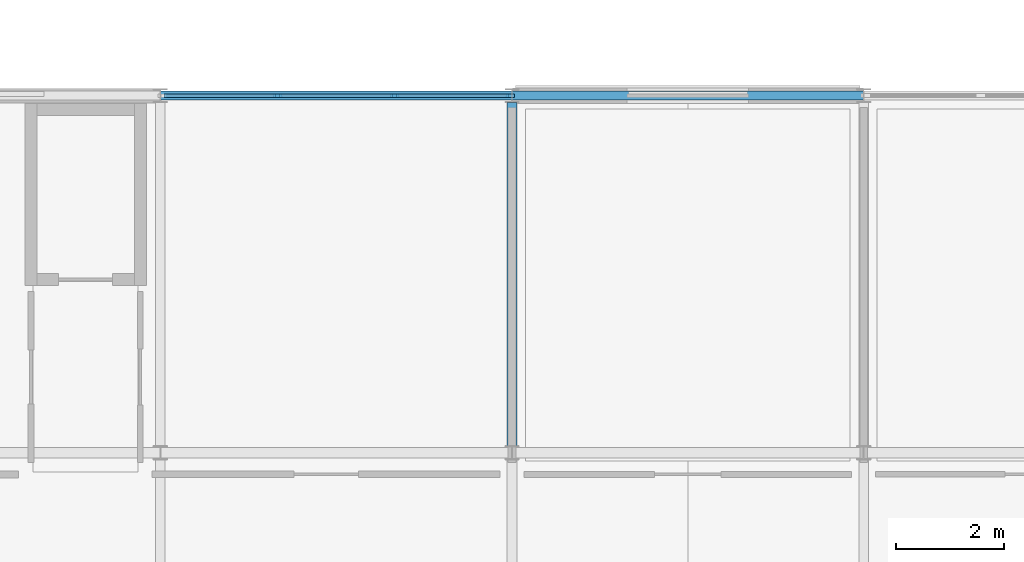
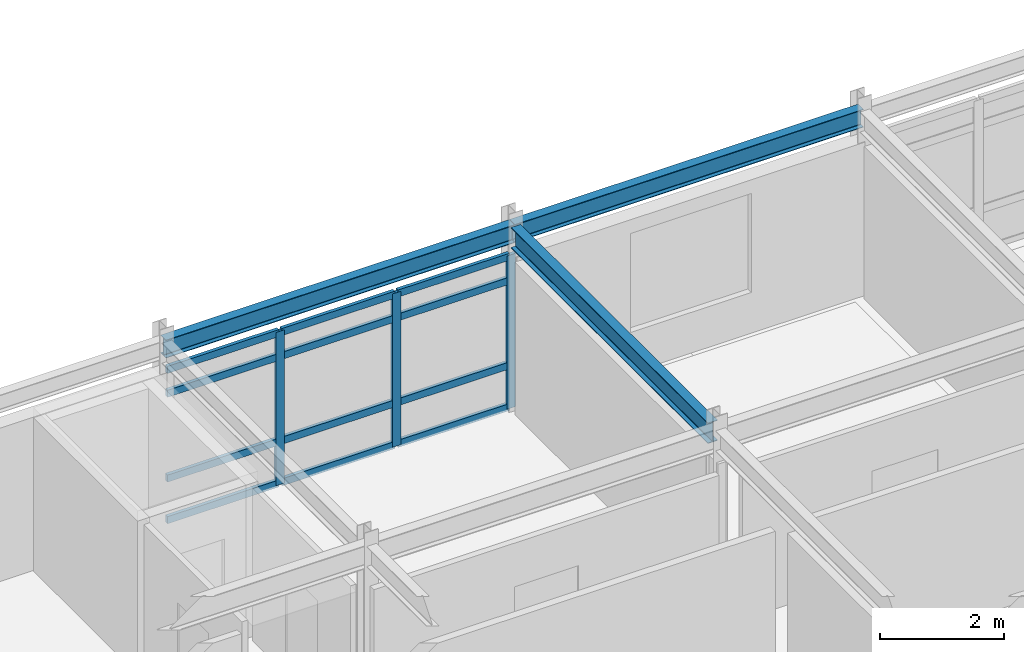
# One storey, part 6 of 20: 15 members, 3 beams, 1 element without a shape of its own.
"""IFC4 building model written with IfcOpenShell, lengths in metres."""

from ifc_helpers import new_model, si_unit, direction, frame, origin, origin_2d, place, context, subcontext, project, spatial, rectangle, i_section, extrude, material, layer, layer_set, material_profile, profile_set, type_object, element, aggregate, save


model = new_model("IFC4")

# Units and contexts
model_context = context("Model", 3, precision=1e-05, world=origin(), true_north=direction((0.0, 1.0)))
body_context = subcontext(model_context, "Body", "Model", "MODEL_VIEW")
ifc_project = project(units=[si_unit("LENGTHUNIT", "METRE"), si_unit("AREAUNIT", "SQUARE_METRE"), si_unit("VOLUMEUNIT", "CUBIC_METRE"), si_unit("PLANEANGLEUNIT", "RADIAN"), si_unit("MASSUNIT", "GRAM", prefix="KILO")], contexts=[model_context])

# Site, building, storey
site_placement = place(None, origin())
site = spatial("IfcSite", under=ifc_project, at=site_placement, CompositionType="ELEMENT")
building_placement = place(site_placement, origin())
building = spatial("IfcBuilding", under=site, at=building_placement, Name="Trelmorton Wharf Fire Station", CompositionType="ELEMENT")
storey_placement = place(building_placement, frame((0.0, 0.0, 21.300048828125)))
storey = spatial("IfcBuildingStorey", under=building, at=storey_placement, Name="L05", CompositionType="ELEMENT", Elevation=21.300048828125)

# Beam
ifc_material_1 = material(Name="Steel Grade 350", Category="steel")
ifc_material_profile_1 = material_profile(ifc_material_1, i_section(OverallWidth=0.177978515625, OverallDepth=0.406005859375, WebThickness=0.0078125, FlangeThickness=0.0126953125, FilletRadius=0.011474609375, at=origin_2d()), Name="410UB59.7")
ifc_profile_set_1 = profile_set([ifc_material_profile_1], Name="Steel Grade 350")
beam_type_1 = type_object("IfcBeamType", Name="BM_410UB60", PredefinedType="BEAM", material=ifc_profile_set_1)
beam_placement = place(storey_placement, frame((130.0, 21.123046875, 3.427001953125), z_axis=(0.0, 1.0, 0.0), x_axis=(-1.0, 0.0, 0.0)))
element("IfcBeam", 1, at=beam_placement, inside=storey, type_object=beam_type_1, Name="BM-L05-1180", PredefinedType="BEAM", context=body_context, shape_type="SweptSolid", body=[
    extrude(i_section(OverallWidth=0.177978515625, OverallDepth=0.406005859375, WebThickness=0.0078125, FlangeThickness=0.0126953125, FilletRadius=0.011474609375, at=origin_2d()), origin(), (0.0, 0.0, 1.0), 6.35400390625),
])

# Curtain wall, members
ifc_material_2 = material(Name="Anodised aluminium AW-6063", Category="aluminium")
ifc_layer = layer(ifc_material_2, 0.14990234375)
ifc_layer_set = layer_set([ifc_layer], Name="Anodised aluminium AW-6063")
curtain_wall_type = type_object("IfcCurtainWallType", Name="CW_UNIT_A", PredefinedType="USERDEFINED", material=ifc_layer_set)
curtain_wall_placement = place(storey_placement, origin())
curtain_wall = element("IfcCurtainWall", 2, at=curtain_wall_placement, inside=storey, type_object=curtain_wall_type, Name="CW-V5-L05-087", ObjectType="UNITISED CURTAIN WALL", PredefinedType="USERDEFINED")
ifc_material_profile_2 = material_profile(ifc_material_2, rectangle(XDim=0.06494140625, YDim=0.159912109375, at=origin_2d()), Name="ALU-65x160")
ifc_profile_set_2 = profile_set([ifc_material_profile_2], Name="Anodised aluminium AW-6063")
member_type_1 = type_object("IfcMemberType", Name="CWM_65x160", PredefinedType="MULLION", material=ifc_profile_set_2)
member_1_placement = place(storey_placement, frame((125.668212890625, 27.60009765625, 0.0), z_axis=(0.0, 0.0, 1.0), x_axis=(0.0, 1.0, 0.0)))
member_1 = element("IfcMember", 3, at=member_1_placement, type_object=member_type_1, Name="CW3 mullion 2", PredefinedType="MULLION", context=body_context, shape_type="SweptSolid", body=[
    extrude(rectangle(XDim=0.06494140625, YDim=0.159912109375, at=origin_2d()), origin(), (0.0, 0.0, 1.0), 3.02001953125),
])
member_2_placement = place(storey_placement, frame((127.831787109375, 27.60009765625, 0.0), z_axis=(0.0, 0.0, 1.0), x_axis=(0.0, 1.0, 0.0)))
member_2 = element("IfcMember", 4, at=member_2_placement, type_object=member_type_1, Name="CW3 mullion 3", PredefinedType="MULLION", context=body_context, shape_type="SweptSolid", body=[
    extrude(rectangle(XDim=0.06494140625, YDim=0.159912109375, at=origin_2d()), origin(), (0.0, 0.0, 1.0), 3.02001953125),
])
member_3_placement = place(storey_placement, frame((129.965087890625, 27.60009765625, 0.0), z_axis=(0.0, 0.0, 1.0), x_axis=(0.0, 1.0, 0.0)))
member_3 = element("IfcMember", 5, at=member_3_placement, type_object=member_type_1, Name="CW3 mullion 4", PredefinedType="MULLION", context=body_context, shape_type="SweptSolid", body=[
    extrude(rectangle(XDim=0.06494140625, YDim=0.159912109375, at=origin_2d()), origin(), (0.0, 0.0, 1.0), 3.02001953125),
])
ifc_material_profile_3 = material_profile(ifc_material_2, rectangle(XDim=0.06494140625, YDim=0.139892578125, at=origin_2d()), Name="ALU-65x140")
ifc_profile_set_3 = profile_set([ifc_material_profile_3], Name="Anodised aluminium AW-6063")
member_type_2 = type_object("IfcMemberType", Name="CWT_65x140", PredefinedType="USERDEFINED", material=ifc_profile_set_3)
member_4_placement = place(storey_placement, frame((123.56494140625, 27.60009765625, 0.030029296875), z_axis=(1.0, 0.0, 0.0), x_axis=(0.0, 1.0, 0.0)))
member_4 = element("IfcMember", 6, at=member_4_placement, type_object=member_type_2, Name="CW3 transom 1.1", ObjectType="TRANSOM", PredefinedType="USERDEFINED", context=body_context, shape_type="SweptSolid", body=[
    extrude(rectangle(XDim=0.06494140625, YDim=0.139892578125, at=origin_2d()), origin(), (0.0, 0.0, 1.0), 2.073486328125),
])
member_5_placement = place(storey_placement, frame((123.56494140625, 27.60009765625, 0.849853515625), z_axis=(1.0, 0.0, 0.0), x_axis=(0.0, 1.0, 0.0)))
member_5 = element("IfcMember", 7, at=member_5_placement, type_object=member_type_2, Name="CW3 transom 1.2", ObjectType="TRANSOM", PredefinedType="USERDEFINED", context=body_context, shape_type="SweptSolid", body=[
    extrude(rectangle(XDim=0.06494140625, YDim=0.139892578125, at=origin_2d()), origin(), (0.0, 0.0, 1.0), 2.073486328125),
])
member_6_placement = place(storey_placement, frame((123.56494140625, 27.60009765625, 2.52001953125), z_axis=(1.0, 0.0, 0.0), x_axis=(0.0, 1.0, 0.0)))
member_6 = element("IfcMember", 8, at=member_6_placement, type_object=member_type_2, Name="CW3 transom 1.3", ObjectType="TRANSOM", PredefinedType="USERDEFINED", context=body_context, shape_type="SweptSolid", body=[
    extrude(rectangle(XDim=0.06494140625, YDim=0.139892578125, at=origin_2d()), origin(), (0.0, 0.0, 1.0), 2.073486328125),
])
member_7_placement = place(storey_placement, frame((123.56494140625, 27.60009765625, 2.989990234375), z_axis=(1.0, 0.0, 0.0), x_axis=(0.0, 1.0, 0.0)))
member_7 = element("IfcMember", 9, at=member_7_placement, type_object=member_type_2, Name="CW3 transom 1.4", ObjectType="TRANSOM", PredefinedType="USERDEFINED", context=body_context, shape_type="SweptSolid", body=[
    extrude(rectangle(XDim=0.06494140625, YDim=0.139892578125, at=origin_2d()), origin(), (0.0, 0.0, 1.0), 2.073486328125),
])
member_8_placement = place(storey_placement, frame((125.6982421875, 27.60009765625, 0.030029296875), z_axis=(1.0, 0.0, 0.0), x_axis=(0.0, 1.0, 0.0)))
member_8 = element("IfcMember", 10, at=member_8_placement, type_object=member_type_2, Name="CW3 transom 2.1", ObjectType="TRANSOM", PredefinedType="USERDEFINED", context=body_context, shape_type="SweptSolid", body=[
    extrude(rectangle(XDim=0.06494140625, YDim=0.139892578125, at=origin_2d()), origin(), (0.0, 0.0, 1.0), 2.103515625),
])
member_9_placement = place(storey_placement, frame((125.6982421875, 27.60009765625, 0.849853515625), z_axis=(1.0, 0.0, 0.0), x_axis=(0.0, 1.0, 0.0)))
member_9 = element("IfcMember", 11, at=member_9_placement, type_object=member_type_2, Name="CW3 transom 2.2", ObjectType="TRANSOM", PredefinedType="USERDEFINED", context=body_context, shape_type="SweptSolid", body=[
    extrude(rectangle(XDim=0.06494140625, YDim=0.139892578125, at=origin_2d()), origin(), (0.0, 0.0, 1.0), 2.103515625),
])
member_10_placement = place(storey_placement, frame((125.6982421875, 27.60009765625, 2.52001953125), z_axis=(1.0, 0.0, 0.0), x_axis=(0.0, 1.0, 0.0)))
member_10 = element("IfcMember", 12, at=member_10_placement, type_object=member_type_2, Name="CW3 transom 2.3", ObjectType="TRANSOM", PredefinedType="USERDEFINED", context=body_context, shape_type="SweptSolid", body=[
    extrude(rectangle(XDim=0.06494140625, YDim=0.139892578125, at=origin_2d()), origin(), (0.0, 0.0, 1.0), 2.103515625),
])
member_11_placement = place(storey_placement, frame((125.6982421875, 27.60009765625, 2.989990234375), z_axis=(1.0, 0.0, 0.0), x_axis=(0.0, 1.0, 0.0)))
member_11 = element("IfcMember", 13, at=member_11_placement, type_object=member_type_2, Name="CW3 transom 2.4", ObjectType="TRANSOM", PredefinedType="USERDEFINED", context=body_context, shape_type="SweptSolid", body=[
    extrude(rectangle(XDim=0.06494140625, YDim=0.139892578125, at=origin_2d()), origin(), (0.0, 0.0, 1.0), 2.103515625),
])
member_12_placement = place(storey_placement, frame((127.861572265625, 27.60009765625, 0.030029296875), z_axis=(1.0, 0.0, 0.0), x_axis=(0.0, 1.0, 0.0)))
member_12 = element("IfcMember", 14, at=member_12_placement, type_object=member_type_2, Name="CW3 transom 3.1", ObjectType="TRANSOM", PredefinedType="USERDEFINED", context=body_context, shape_type="SweptSolid", body=[
    extrude(rectangle(XDim=0.06494140625, YDim=0.139892578125, at=origin_2d()), origin(), (0.0, 0.0, 1.0), 2.073486328125),
])
member_13_placement = place(storey_placement, frame((127.861572265625, 27.60009765625, 0.849853515625), z_axis=(1.0, 0.0, 0.0), x_axis=(0.0, 1.0, 0.0)))
member_13 = element("IfcMember", 15, at=member_13_placement, type_object=member_type_2, Name="CW3 transom 3.2", ObjectType="TRANSOM", PredefinedType="USERDEFINED", context=body_context, shape_type="SweptSolid", body=[
    extrude(rectangle(XDim=0.06494140625, YDim=0.139892578125, at=origin_2d()), origin(), (0.0, 0.0, 1.0), 2.073486328125),
])
member_14_placement = place(storey_placement, frame((127.861572265625, 27.60009765625, 2.52001953125), z_axis=(1.0, 0.0, 0.0), x_axis=(0.0, 1.0, 0.0)))
member_14 = element("IfcMember", 16, at=member_14_placement, type_object=member_type_2, Name="CW3 transom 3.3", ObjectType="TRANSOM", PredefinedType="USERDEFINED", context=body_context, shape_type="SweptSolid", body=[
    extrude(rectangle(XDim=0.06494140625, YDim=0.139892578125, at=origin_2d()), origin(), (0.0, 0.0, 1.0), 2.073486328125),
])
member_15_placement = place(storey_placement, frame((127.861572265625, 27.60009765625, 2.989990234375), z_axis=(1.0, 0.0, 0.0), x_axis=(0.0, 1.0, 0.0)))
member_15 = element("IfcMember", 17, at=member_15_placement, type_object=member_type_2, Name="CW3 transom 3.4", ObjectType="TRANSOM", PredefinedType="USERDEFINED", context=body_context, shape_type="SweptSolid", body=[
    extrude(rectangle(XDim=0.06494140625, YDim=0.139892578125, at=origin_2d()), origin(), (0.0, 0.0, 1.0), 2.073486328125),
])
aggregate(curtain_wall, [member_1, member_2, member_3, member_4, member_5, member_6, member_7, member_8, member_9, member_10, member_11, member_12, member_13, member_14, member_15])

# Beams
ifc_material_profile_4 = material_profile(ifc_material_1, i_section(OverallWidth=0.1708984375, OverallDepth=0.35595703125, WebThickness=0.00732421875, FlangeThickness=0.011474609375, FilletRadius=0.011474609375, at=origin_2d()), Name="360UB50.7")
ifc_profile_set_4 = profile_set([ifc_material_profile_4], Name="Steel Grade 350")
beam_type_2 = type_object("IfcBeamType", Name="SP_360UB51", PredefinedType="SPANDREL", material=ifc_profile_set_4)
for number, where, z_axis, x_axis, name in (
    (18, (123.50390625, 27.60009765625, 3.451904296875), (1.0, 0.0, 0.0), (0.0, 1.0, 0.0), "BM-L05-1147"),
    (19, (130.00390625, 27.60009765625, 3.451904296875), (1.0, 0.0, 0.0), (0.0, 1.0, 0.0), "BM-L05-1148"),
):
    element("IfcBeam", number, at=place(storey_placement, frame(where, z_axis=z_axis, x_axis=x_axis)), inside=storey, type_object=beam_type_2, Name=name, PredefinedType="SPANDREL", context=body_context, shape_type="SweptSolid", body=[
        extrude(i_section(OverallWidth=0.1708984375, OverallDepth=0.35595703125, WebThickness=0.00732421875, FlangeThickness=0.011474609375, FilletRadius=0.011474609375, at=origin_2d()), origin(), (0.0, 0.0, 1.0), 6.4921875),
    ])

save(model, "model.ifc")
